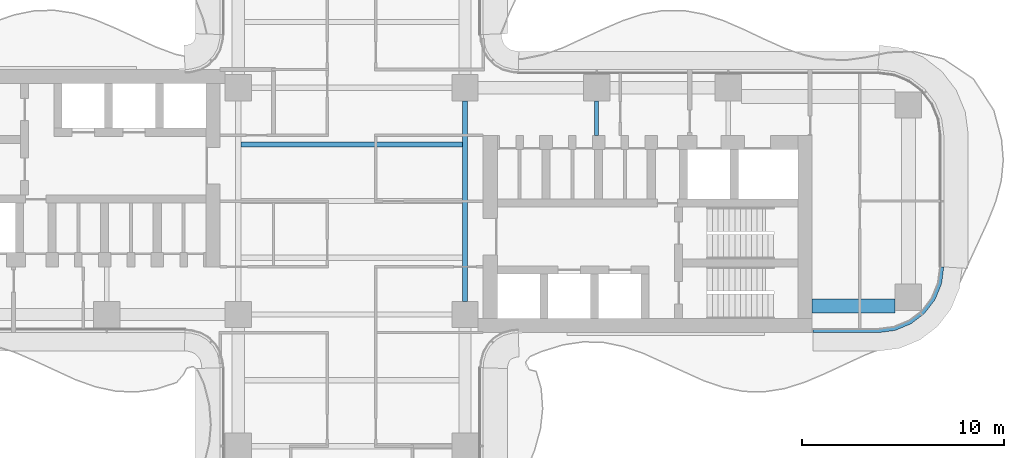
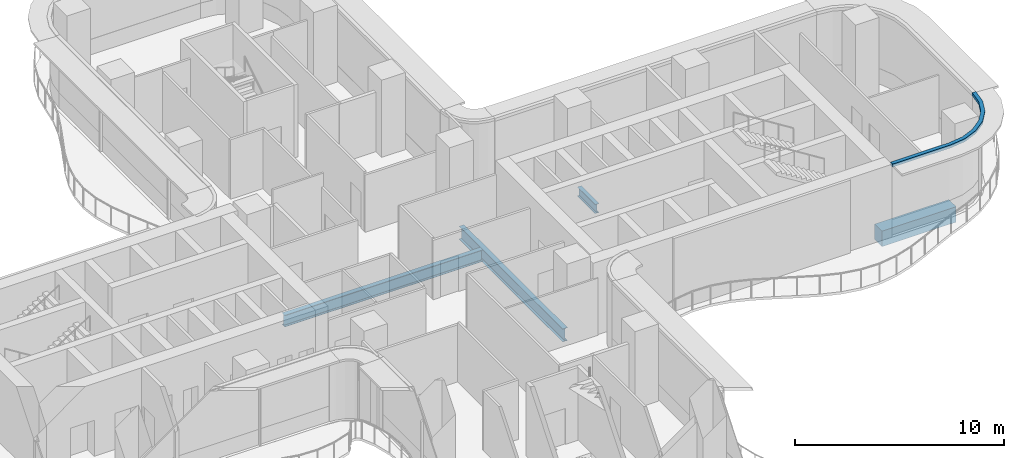
# One storey, part 6 of 21: 4 beams, 1 member, 1 element without a shape of its own.
"""IFC4 building model written with IfcOpenShell, lengths in metres."""

from ifc_helpers import new_model, si_unit, direction, frame, origin, origin_2d, place, context, subcontext, project, spatial, polyline, rectangle, i_section, outline, extrude, source, transform, mapped, material, layer, layer_set, material_profile, profile_set, type_object, element, aggregate, save


model = new_model("IFC4")

# Units and contexts
model_context = context("Model", 3, precision=1e-05, world=origin(), true_north=direction((0.0, 1.0)))
body_context = subcontext(model_context, "Body", "Model", "MODEL_VIEW")
ifc_project = project(units=[si_unit("LENGTHUNIT", "METRE"), si_unit("AREAUNIT", "SQUARE_METRE"), si_unit("VOLUMEUNIT", "CUBIC_METRE"), si_unit("PLANEANGLEUNIT", "RADIAN"), si_unit("MASSUNIT", "GRAM", prefix="KILO")], contexts=[model_context])

# Site, building, storey
site_placement = place(None, origin())
site = spatial("IfcSite", under=ifc_project, at=site_placement, CompositionType="ELEMENT")
building_placement = place(site_placement, origin())
building = spatial("IfcBuilding", under=site, at=building_placement, Name="Trellis Farm Tower", CompositionType="ELEMENT")
storey_placement = place(building_placement, frame((0.0, 0.0, 147.0)))
storey = spatial("IfcBuildingStorey", under=building, at=storey_placement, Name="L31", CompositionType="ELEMENT", Elevation=147.0)

# Beams
ifc_material_1 = material(Name="Steel S355", Category="steel")
ifc_material_profile_1 = material_profile(ifc_material_1, i_section(OverallWidth=0.253662109375, OverallDepth=0.68359375, WebThickness=0.012451171875, FlangeThickness=0.021728515625, FilletRadius=0.01513671875, at=origin_2d()), Name="UB 686x254x140")
ifc_profile_set_1 = profile_set([ifc_material_profile_1], Name="Steel S355")
beam_type_1 = type_object("IfcBeamType", Name="UB 686x254x140 joist", PredefinedType="JOIST", material=ifc_profile_set_1)
shared_shape_1 = source(origin(), body_context, "Body", "SweptSolid", [
    extrude(i_section(OverallWidth=0.253662109375, OverallDepth=0.68359375, WebThickness=0.012451171875, FlangeThickness=0.021728515625, FilletRadius=0.01513671875, at=origin_2d()), origin(), (0.0, 0.0, 1.0), 10.93310546875),
])
beam_1_placement = place(storey_placement, frame((-5.466552734375, 2.800048828125, -0.591796875), z_axis=(1.0, 0.0, 0.0), x_axis=(0.0, 1.0, 0.0)))
element("IfcBeam", 1, at=beam_1_placement, inside=storey, type_object=beam_type_1, Name="Floor beam", PredefinedType="JOIST", context=body_context, shape_type="MappedRepresentation", body=[
    mapped(shared_shape_1, transform((0.0, 0.0, 0.0))),
])
ifc_material_profile_2 = material_profile(ifc_material_1, i_section(OverallWidth=0.2666015625, OverallDepth=0.76220703125, WebThickness=0.014404296875, FlangeThickness=0.021484375, FilletRadius=0.0166015625, at=origin_2d()), Name="UB 762x267x173")
ifc_profile_set_2 = profile_set([ifc_material_profile_2], Name="Steel S355")
beam_type_2 = type_object("IfcBeamType", Name="UB 762x267x173", PredefinedType="BEAM", material=ifc_profile_set_2)
shared_shape_2 = source(origin(), body_context, "Body", "SweptSolid", [
    extrude(i_section(OverallWidth=0.2666015625, OverallDepth=0.76220703125, WebThickness=0.014404296875, FlangeThickness=0.021484375, FilletRadius=0.0166015625, at=origin_2d()), origin(), (0.0, 0.0, 1.0), 9.89990234375),
])
beam_2_placement = place(storey_placement, frame((5.60009765625, -4.949951171875, -0.631103515625), z_axis=(0.0, 1.0, 0.0), x_axis=(-1.0, 0.0, 0.0)))
element("IfcBeam", 2, at=beam_2_placement, inside=storey, type_object=beam_type_2, Name="Girder", PredefinedType="BEAM", context=body_context, shape_type="MappedRepresentation", body=[
    mapped(shared_shape_2, transform((0.0, 0.0, 0.0))),
])
ifc_material_profile_3 = material_profile(ifc_material_1, i_section(OverallWidth=0.209228515625, OverallDepth=0.533203125, WebThickness=0.010009765625, FlangeThickness=0.015625, FilletRadius=0.0126953125, at=origin_2d()), Name="UB 533x210x92")
ifc_profile_set_3 = profile_set([ifc_material_profile_3], Name="Steel S355")
beam_type_3 = type_object("IfcBeamType", Name="UB 533x210x92", PredefinedType="BEAM", material=ifc_profile_set_3)
shared_shape_3 = source(origin(), body_context, "Body", "SweptSolid", [
    extrude(i_section(OverallWidth=0.209228515625, OverallDepth=0.533203125, WebThickness=0.010009765625, FlangeThickness=0.015625, FilletRadius=0.0126953125, at=origin_2d()), origin(), (0.0, 0.0, 1.0), 1.699951171875),
])
beam_3_placement = place(storey_placement, frame((12.10009765625, 3.25, -0.5166015625), z_axis=(0.0, 1.0, 0.0), x_axis=(-1.0, 0.0, 0.0)))
element("IfcBeam", 3, at=beam_3_placement, inside=storey, type_object=beam_type_3, Name="Girder", PredefinedType="BEAM", context=body_context, shape_type="MappedRepresentation", body=[
    mapped(shared_shape_3, transform((0.0, 0.0, 0.0))),
])
ifc_material_2 = material(Name="Concrete C60/75", Category="concrete")
ifc_material_profile_4 = material_profile(ifc_material_2, rectangle(XDim=0.699951171875, YDim=0.89990234375, at=origin_2d()), Name="RC spandrel beam 700x900 C60/75")
ifc_profile_set_4 = profile_set([ifc_material_profile_4], Name="Concrete C60/75")
beam_type_4 = type_object("IfcBeamType", Name="RC spandrel beam 700x900 C60/75", PredefinedType="SPANDREL", material=ifc_profile_set_4)
shared_shape_4 = source(origin(), body_context, "Body", "SweptSolid", [
    extrude(rectangle(XDim=0.699951171875, YDim=0.89990234375, at=origin_2d()), origin(), (0.0, 0.0, 1.0), 4.10009765625),
])
beam_4_placement = place(storey_placement, frame((22.75, -5.175048828125, -0.699951171875), z_axis=(1.0, 0.0, 0.0), x_axis=(0.0, 1.0, 0.0)))
element("IfcBeam", 4, at=beam_4_placement, inside=storey, type_object=beam_type_4, Name="Girder", PredefinedType="SPANDREL", context=body_context, shape_type="MappedRepresentation", body=[
    mapped(shared_shape_4, transform((0.0, 0.0, 0.0))),
])

# Curtain wall, member
ifc_material_3 = material(Name="Aluminium and glass curtain wall", Category="aluminium")
ifc_layer_1 = layer(ifc_material_3, 0.18994140625)
ifc_layer_set_1 = layer_set([ifc_layer_1], Name="RIBBON CURTAIN WALL CW1")
curtain_wall_type = type_object("IfcCurtainWallType", Name="RIBBON CURTAIN WALL CW1", PredefinedType="NOTDEFINED", material=ifc_layer_set_1)
curtain_wall_placement = place(storey_placement, origin())
curtain_wall = element("IfcCurtainWall", 5, at=curtain_wall_placement, inside=storey, type_object=curtain_wall_type, Name="CW1 006", PredefinedType="NOTDEFINED")
ifc_material_4 = material(Name="Aluminium extrusion 6063-T6", Category="aluminium")
ifc_layer_2 = layer(ifc_material_4, 0.199951171875)
ifc_layer_set_2 = layer_set([ifc_layer_2], Name="Aluminium extrusion 6063-T6")
member_type = type_object("IfcMemberType", Name="CW1 TRANSOM 200x180", PredefinedType="USERDEFINED", material=ifc_layer_set_2)
shared_shape_5 = source(origin(), body_context, "Body", "SweptSolid", [
    extrude(outline(polyline([(22.780029296875, -6.5), (26.0, -6.5), (26.841064453125, -6.38916015625), (27.625, -6.064697265625), (28.298095703125, -5.548095703125), (28.814697265625, -4.875), (29.13916015625, -4.091064453125), (29.25, -3.25), (29.050048828125, -3.23681640625), (28.9443359375, -4.0390625), (28.639892578125, -4.774169921875), (28.155517578125, -5.405517578125), (27.524169921875, -5.889892578125), (26.7890625, -6.1943359375), (25.98681640625, -6.300048828125), (22.780029296875, -6.300048828125), (22.780029296875, -6.5)])), origin(), (0.0, 0.0, 1.0), 0.179931640625),
])
member_placement = place(storey_placement, frame((0.0, 0.0, 4.070068359375)))
member = element("IfcMember", 6, at=member_placement, type_object=member_type, Name="TR1 006", ObjectType="TRANSOM", PredefinedType="USERDEFINED", context=body_context, shape_type="MappedRepresentation", body=[
    mapped(shared_shape_5, transform((0.0, 0.0, 0.0))),
])
aggregate(curtain_wall, [member])

save(model, "model.ifc")
